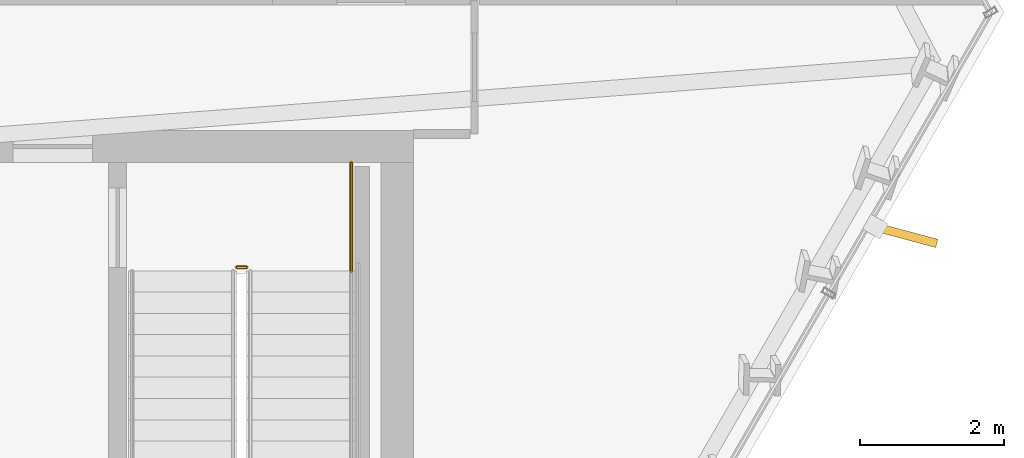
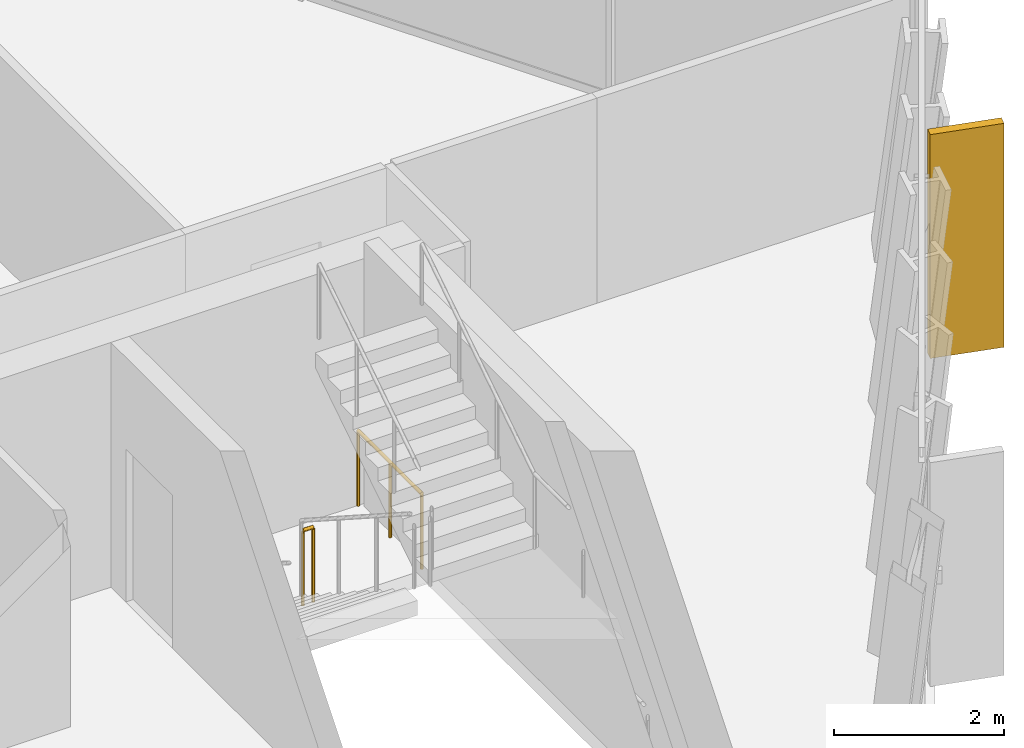
# One storey, part 30 of 31: 2 railings, 1 shading device.
"""IFC4 building model written with IfcOpenShell, lengths in metres."""

from ifc_helpers import new_model, si_unit, direction, frame, origin, origin_2d, place, context, subcontext, project, spatial, rectangle, circle, extrude, material, layer, layer_set, type_object, element, save


model = new_model("IFC4")

# Units and contexts
model_context = context("Model", 3, precision=1e-05, world=origin(), true_north=direction((0.0, 1.0)))
body_context = subcontext(model_context, "Body", "Model", "MODEL_VIEW")
ifc_project = project(units=[si_unit("LENGTHUNIT", "METRE"), si_unit("AREAUNIT", "SQUARE_METRE"), si_unit("VOLUMEUNIT", "CUBIC_METRE"), si_unit("PLANEANGLEUNIT", "RADIAN"), si_unit("MASSUNIT", "GRAM", prefix="KILO")], contexts=[model_context])

# Site, building, storey
site_placement = place(None, origin())
site = spatial("IfcSite", under=ifc_project, at=site_placement, CompositionType="ELEMENT")
building_placement = place(site_placement, origin())
building = spatial("IfcBuilding", under=site, at=building_placement, Name="Ndaravel Arena Tower", CompositionType="ELEMENT")
storey_placement = place(building_placement, frame((0.0, 0.0, 108.199951171875)))
storey = spatial("IfcBuildingStorey", under=building, at=storey_placement, Name="L25", CompositionType="ELEMENT", Elevation=108.199951171875)

# Railings
ifc_material_1 = material(Name="Steel S355", Category="steel")
ifc_layer = layer(ifc_material_1, 0.06005859375)
ifc_layer_set = layer_set([ifc_layer], Name="Steel S355")
railing_type = type_object("IfcRailingType", Name="RAIL-STAIR-GD1100", PredefinedType="GUARDRAIL", material=ifc_layer_set)
railing_1_placement = place(storey_placement, frame((55.10009765625, 13.300048828125, 0.0)))
element("IfcRailing", 1, at=railing_1_placement, inside=storey, type_object=railing_type, Name="L25 ST-3 stair guard 4", PredefinedType="GUARDRAIL", context=body_context, shape_type="SweptSolid", body=[
    extrude(circle(Radius=0.02392578125, at=origin_2d()), frame((0.0, 0.0, 1.076171875), z_axis=(1.0, 0.0, 0.0), x_axis=(0.0, 1.0, 0.0)), (0.0, 0.0, 1.0), 0.139892578125),
    extrude(circle(Radius=0.02099609375, at=origin_2d()), origin(), (0.0, 0.0, 1.0), 1.052001953125),
    extrude(circle(Radius=0.02099609375, at=origin_2d()), frame((0.139892578125, 0.0, 0.0)), (0.0, 0.0, 1.0), 1.052001953125),
])
railing_2_placement = place(storey_placement, frame((56.68994140625, 14.75, 0.0)))
element("IfcRailing", 2, at=railing_2_placement, inside=storey, type_object=railing_type, Name="L25 ST-3 stair guard 5", PredefinedType="GUARDRAIL", context=body_context, shape_type="SweptSolid", body=[
    extrude(circle(Radius=0.02392578125, at=origin_2d()), frame((0.0, 0.0, 1.076171875), z_axis=(0.0, -1.0, 0.0), x_axis=(1.0, 0.0, 0.0)), (0.0, 0.0, 1.0), 1.5),
    extrude(circle(Radius=0.02099609375, at=origin_2d()), origin(), (0.0, 0.0, 1.0), 1.052001953125),
    extrude(circle(Radius=0.02099609375, at=origin_2d()), frame((0.0, -0.75, 0.0)), (0.0, 0.0, 1.0), 1.052001953125),
    extrude(circle(Radius=0.02099609375, at=origin_2d()), frame((0.0, -1.5, 0.0)), (0.0, 0.0, 1.0), 1.052001953125),
])

# Shading device
ifc_material_2 = material(Name="Masonry", Category="masonry")
shading_device_type = type_object("IfcShadingDeviceType", Name="SHD-MAZERAS-FIN", PredefinedType="SHUTTER", material=ifc_material_2)
shading_device_placement = place(storey_placement, frame((64.376220703125, 13.747314453125, 0.14990234375), z_axis=(0.0, 0.0, 1.0), x_axis=(0.965925826289, -0.258819045103, 0.0)))
element("IfcShadingDevice", 3, at=shading_device_placement, inside=storey, type_object=shading_device_type, Name="L25 Mazeras Stone Solar Fin E2.2", PredefinedType="SHUTTER", context=body_context, shape_type="SweptSolid", body=[
    extrude(rectangle(XDim=0.89990234375, YDim=0.1201171875, at=origin_2d()), origin(), (0.0, 0.0, 1.0), 3.219970703125),
])

save(model, "model.ifc")
